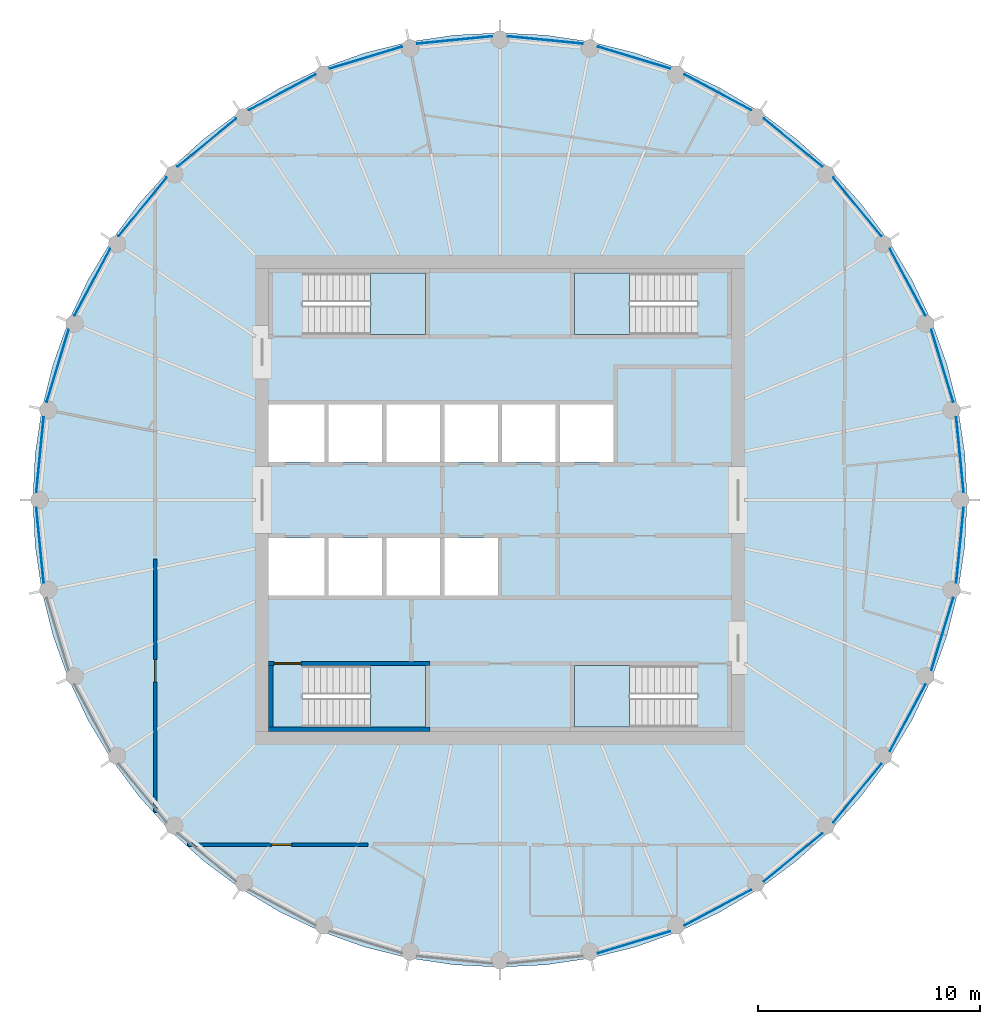
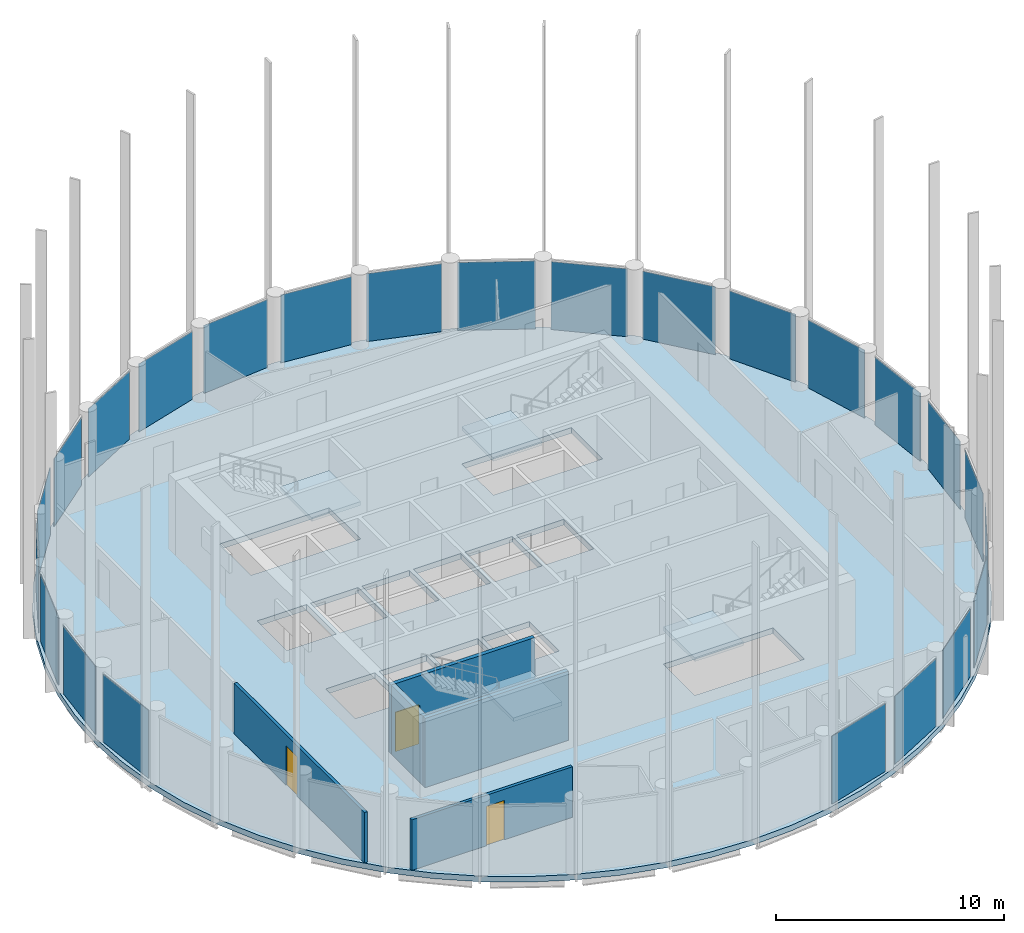
# One storey, part 3 of 7: 24 plates, 5 slabs, 5 walls, 3 doors, 3 openings, 28 elements without a shape of their own.
"""IFC4 building model written with IfcOpenShell, lengths in metres."""

from ifc_helpers import new_model, si_unit, direction, frame, frame_2d, origin, origin_2d, place, context, subcontext, project, spatial, polyline, rectangle, outline, extrude, material, layer, layer_set, type_object, element, fill, aggregate, save


model = new_model("IFC4")

# Units and contexts
model_context = context("Model", 3, precision=1e-05, world=origin(), true_north=direction((0.0, 1.0)))
body_context = subcontext(model_context, "Body", "Model", "MODEL_VIEW")
ifc_project = project(units=[si_unit("LENGTHUNIT", "METRE"), si_unit("AREAUNIT", "SQUARE_METRE"), si_unit("VOLUMEUNIT", "CUBIC_METRE"), si_unit("PLANEANGLEUNIT", "RADIAN"), si_unit("MASSUNIT", "GRAM", prefix="KILO")], contexts=[model_context])

# Site, building, storey
site_placement = place(None, origin())
site = spatial("IfcSite", under=ifc_project, at=site_placement, CompositionType="ELEMENT")
building_placement = place(site_placement, origin())
building = spatial("IfcBuilding", under=site, at=building_placement, Name="Corvane Civic Tower", CompositionType="ELEMENT")
storey_placement = place(building_placement, frame((0.0, 0.0, 340.5)))
storey = spatial("IfcBuildingStorey", under=building, at=storey_placement, Name="L81", CompositionType="ELEMENT", Elevation=340.5)

# Slab
ifc_material_1 = material(Name="Concrete C40/50", Category="concrete")
ifc_layer_1 = layer(ifc_material_1, 0.300048828125)
ifc_layer_set_1 = layer_set([ifc_layer_1], Name="Concrete C40/50")
slab_type_1 = type_object("IfcSlabType", Name="FLOOR SLAB 300", PredefinedType="FLOOR", material=ifc_layer_set_1)
slab_1_placement = place(storey_placement, frame((0.0, 0.0, -0.300048828125)))
element("IfcSlab", 1, at=slab_1_placement, inside=storey, type_object=slab_type_1, Name="SLB-L81", PredefinedType="FLOOR", context=body_context, shape_type="SweptSolid", body=[
    extrude(outline(polyline([(0.0, 21.0), (-2.058349609375, 20.89892578125), (-4.096923828125, 20.596435546875), (-6.095947265625, 20.095703125), (-8.036376953125, 19.4013671875), (-9.8994140625, 18.520263671875), (-11.6669921875, 17.4609375), (-13.322265625, 16.233154296875), (-14.84912109375, 14.84912109375), (-16.233154296875, 13.322265625), (-17.4609375, 11.6669921875), (-18.520263671875, 9.8994140625), (-19.4013671875, 8.036376953125), (-20.095703125, 6.095947265625), (-20.596435546875, 4.096923828125), (-20.89892578125, 2.058349609375), (-21.0, 0.0), (-20.89892578125, -2.058349609375), (-20.596435546875, -4.096923828125), (-20.095703125, -6.095947265625), (-19.4013671875, -8.036376953125), (-18.520263671875, -9.8994140625), (-17.4609375, -11.6669921875), (-16.233154296875, -13.322265625), (-14.84912109375, -14.84912109375), (-13.322265625, -16.233154296875), (-11.6669921875, -17.4609375), (-9.8994140625, -18.520263671875), (-8.036376953125, -19.4013671875), (-6.095947265625, -20.095703125), (-4.096923828125, -20.596435546875), (-2.058349609375, -20.89892578125), (0.0, -21.0), (2.058349609375, -20.89892578125), (4.096923828125, -20.596435546875), (6.095947265625, -20.095703125), (8.036376953125, -19.4013671875), (9.8994140625, -18.520263671875), (11.6669921875, -17.4609375), (13.322265625, -16.233154296875), (14.84912109375, -14.84912109375), (16.233154296875, -13.322265625), (17.4609375, -11.6669921875), (18.520263671875, -9.8994140625), (19.4013671875, -8.036376953125), (20.095703125, -6.095947265625), (20.596435546875, -4.096923828125), (20.89892578125, -2.058349609375), (21.0, 0.0), (20.89892578125, 2.058349609375), (20.596435546875, 4.096923828125), (20.095703125, 6.095947265625), (19.4013671875, 8.036376953125), (18.520263671875, 9.8994140625), (17.4609375, 11.6669921875), (16.233154296875, 13.322265625), (14.84912109375, 14.84912109375), (13.322265625, 16.233154296875), (11.6669921875, 17.4609375), (9.8994140625, 18.520263671875), (8.036376953125, 19.4013671875), (6.095947265625, 20.095703125), (4.096923828125, 20.596435546875), (2.058349609375, 20.89892578125), (0.0, 21.0)]), holes=[polyline([(-10.39990234375, 4.300048828125), (-7.89990234375, 4.300048828125), (-7.89990234375, 1.699951171875), (-10.39990234375, 1.699951171875), (-10.39990234375, 4.300048828125)]), polyline([(-5.300048828125, 1.699951171875), (-7.699951171875, 1.699951171875), (-7.699951171875, 4.300048828125), (-5.300048828125, 4.300048828125), (-5.300048828125, 1.699951171875)]), polyline([(-5.10009765625, 4.300048828125), (-2.699951171875, 4.300048828125), (-2.699951171875, 1.699951171875), (-5.10009765625, 1.699951171875), (-5.10009765625, 4.300048828125)]), polyline([(-0.10009765625, 1.699951171875), (-2.5, 1.699951171875), (-2.5, 4.300048828125), (-0.10009765625, 4.300048828125), (-0.10009765625, 1.699951171875)]), polyline([(2.5, 1.699951171875), (0.10009765625, 1.699951171875), (0.10009765625, 4.300048828125), (2.5, 4.300048828125), (2.5, 1.699951171875)]), polyline([(2.699951171875, 4.300048828125), (5.10009765625, 4.300048828125), (5.10009765625, 1.699951171875), (2.699951171875, 1.699951171875), (2.699951171875, 4.300048828125)]), polyline([(-10.39990234375, -1.699951171875), (-7.89990234375, -1.699951171875), (-7.89990234375, -4.300048828125), (-10.39990234375, -4.300048828125), (-10.39990234375, -1.699951171875)]), polyline([(-5.300048828125, -1.699951171875), (-5.300048828125, -4.300048828125), (-7.699951171875, -4.300048828125), (-7.699951171875, -1.699951171875), (-5.300048828125, -1.699951171875)]), polyline([(-2.699951171875, -1.699951171875), (-2.699951171875, -4.300048828125), (-5.10009765625, -4.300048828125), (-5.10009765625, -1.699951171875), (-2.699951171875, -1.699951171875)]), polyline([(-2.5, -4.300048828125), (-2.5, -1.699951171875), (-0.10009765625, -1.699951171875), (-0.10009765625, -4.300048828125), (-2.5, -4.300048828125)]), polyline([(8.889892578125, 10.199951171875), (8.889892578125, 7.449951171875), (3.35009765625, 7.449951171875), (3.35009765625, 10.199951171875), (8.889892578125, 10.199951171875)]), polyline([(-8.889892578125, 7.449951171875), (-8.889892578125, 10.199951171875), (-3.35009765625, 10.199951171875), (-3.35009765625, 7.449951171875), (-8.889892578125, 7.449951171875)]), polyline([(8.889892578125, -7.449951171875), (8.889892578125, -10.199951171875), (3.35009765625, -10.199951171875), (3.35009765625, -7.449951171875), (8.889892578125, -7.449951171875)]), polyline([(-8.889892578125, -10.199951171875), (-8.889892578125, -7.449951171875), (-3.35009765625, -7.449951171875), (-3.35009765625, -10.199951171875), (-8.889892578125, -10.199951171875)])]), origin(), (0.0, 0.0, 1.0), 0.300048828125),
])

# Stair, slab
ifc_material_2 = material(Name="Concrete C40/50", Category="concrete")
stair_type = type_object("IfcStairType", Name="ST-STAIR-HALFTURN", PredefinedType="HALF_TURN_STAIR", material=ifc_material_2)
stair_1_placement = place(storey_placement, origin())
stair_1 = element("IfcStair", 2, at=stair_1_placement, inside=storey, type_object=stair_type, Name="L81 Exit stair ST1", PredefinedType="HALF_TURN_STAIR")
ifc_material_3 = material(Name="Concrete C40/50", Category="concrete")
ifc_layer_2 = layer(ifc_material_3, 0.199951171875)
ifc_layer_set_2 = layer_set([ifc_layer_2], Name="Concrete C40/50")
slab_type_2 = type_object("IfcSlabType", Name="ST-LANDING-RC", PredefinedType="LANDING", material=ifc_layer_set_2)
slab_2_placement = place(storey_placement, frame((0.0, 0.0, 1.800048828125)))
slab_2 = element("IfcSlab", 3, at=slab_2_placement, type_object=slab_type_2, Name="ST1 landing 1", PredefinedType="LANDING", context=body_context, shape_type="SweptSolid", body=[
    extrude(outline(polyline([(5.820068359375, 10.199951171875), (3.35009765625, 10.199951171875), (3.35009765625, 7.449951171875), (5.820068359375, 7.449951171875), (5.820068359375, 10.199951171875)])), origin(), (0.0, 0.0, 1.0), 0.199951171875),
])
aggregate(stair_1, [slab_2])

stair_2_placement = place(storey_placement, origin())
stair_2 = element("IfcStair", 4, at=stair_2_placement, inside=storey, type_object=stair_type, Name="L81 Exit stair ST2", PredefinedType="HALF_TURN_STAIR")
slab_3_placement = place(storey_placement, frame((0.0, 0.0, 1.800048828125)))
slab_3 = element("IfcSlab", 5, at=slab_3_placement, type_object=slab_type_2, Name="ST2 landing 1", PredefinedType="LANDING", context=body_context, shape_type="SweptSolid", body=[
    extrude(outline(polyline([(5.820068359375, -7.449951171875), (3.35009765625, -7.449951171875), (3.35009765625, -10.199951171875), (5.820068359375, -10.199951171875), (5.820068359375, -7.449951171875)])), origin(), (0.0, 0.0, 1.0), 0.199951171875),
])
aggregate(stair_2, [slab_3])

stair_3_placement = place(storey_placement, origin())
stair_3 = element("IfcStair", 6, at=stair_3_placement, inside=storey, type_object=stair_type, Name="L81 Exit stair ST3", PredefinedType="HALF_TURN_STAIR")
slab_4_placement = place(storey_placement, frame((0.0, 0.0, 1.800048828125)))
slab_4 = element("IfcSlab", 7, at=slab_4_placement, type_object=slab_type_2, Name="ST3 landing 1", PredefinedType="LANDING", context=body_context, shape_type="SweptSolid", body=[
    extrude(outline(polyline([(-5.820068359375, -10.199951171875), (-3.35009765625, -10.199951171875), (-3.35009765625, -7.449951171875), (-5.820068359375, -7.449951171875), (-5.820068359375, -10.199951171875)])), origin(), (0.0, 0.0, 1.0), 0.199951171875),
])
aggregate(stair_3, [slab_4])

stair_4_placement = place(storey_placement, origin())
stair_4 = element("IfcStair", 8, at=stair_4_placement, inside=storey, type_object=stair_type, Name="L81 Exit stair ST4", PredefinedType="HALF_TURN_STAIR")
slab_5_placement = place(storey_placement, frame((0.0, 0.0, 1.800048828125)))
slab_5 = element("IfcSlab", 9, at=slab_5_placement, type_object=slab_type_2, Name="ST4 landing 1", PredefinedType="LANDING", context=body_context, shape_type="SweptSolid", body=[
    extrude(outline(polyline([(-5.820068359375, 7.449951171875), (-3.35009765625, 7.449951171875), (-3.35009765625, 10.199951171875), (-5.820068359375, 10.199951171875), (-5.820068359375, 7.449951171875)])), origin(), (0.0, 0.0, 1.0), 0.199951171875),
])
aggregate(stair_4, [slab_5])

# Curtain wall, plate
ifc_material_4 = material(Name="Anodised aluminium bronze", Category="aluminium")
curtain_wall_type = type_object("IfcCurtainWallType", Name="TOWER CW-T3 STICK CURTAIN WALL", PredefinedType="NOTDEFINED", material=ifc_material_4)
curtain_wall_1_placement = place(storey_placement, origin())
curtain_wall_1 = element("IfcCurtainWall", 10, at=curtain_wall_1_placement, inside=storey, type_object=curtain_wall_type, Name="Curtain wall CW-T3 L81 bay 01", PredefinedType="NOTDEFINED")
ifc_material_5 = material(Name="Tinted glass", Category="glass")
ifc_layer_3 = layer(ifc_material_5, 0.028076171875)
ifc_layer_set_3 = layer_set([ifc_layer_3], Name="Tinted glass")
plate_type = type_object("IfcPlateType", Name="TOWER CW-T3 PANEL IGU28", PredefinedType="CURTAIN_PANEL", material=ifc_layer_set_3)
plate_1_placement = place(storey_placement, frame((2.03662109375, 20.679443359375, 0.0), z_axis=(0.0, 0.0, 1.0), x_axis=(0.995186641028, -0.097997701601, 0.0)))
plate_1 = element("IfcPlate", 11, at=plate_1_placement, type_object=plate_type, Name="Glass panel CW-T3 L81 01.1", PredefinedType="CURTAIN_PANEL", context=body_context, shape_type="SweptSolid", body=[
    extrude(rectangle(XDim=3.402587890625, YDim=0.028076171875, at=origin_2d()), origin(), (0.0, 0.0, 1.0), 3.6298828125),
])
aggregate(curtain_wall_1, [plate_1])

curtain_wall_2_placement = place(storey_placement, origin())
curtain_wall_2 = element("IfcCurtainWall", 12, at=curtain_wall_2_placement, inside=storey, type_object=curtain_wall_type, Name="Curtain wall CW-T3 L81 bay 02", PredefinedType="NOTDEFINED")
plate_2_placement = place(storey_placement, frame((6.031982421875, 19.884765625, 0.0), z_axis=(0.0, 0.0, 1.0), x_axis=(0.956938582641, -0.290290456359, 0.0)))
plate_2 = element("IfcPlate", 13, at=plate_2_placement, type_object=plate_type, Name="Glass panel CW-T3 L81 02.1", PredefinedType="CURTAIN_PANEL", context=body_context, shape_type="SweptSolid", body=[
    extrude(rectangle(XDim=3.40283203125, YDim=0.028076171875, at=origin_2d()), origin(), (0.0, 0.0, 1.0), 3.6298828125),
])
aggregate(curtain_wall_2, [plate_2])

curtain_wall_3_placement = place(storey_placement, origin())
curtain_wall_3 = element("IfcCurtainWall", 14, at=curtain_wall_3_placement, inside=storey, type_object=curtain_wall_type, Name="Curtain wall CW-T3 L81 bay 03", PredefinedType="NOTDEFINED")
plate_3_placement = place(storey_placement, frame((9.79541015625, 18.325927734375, 0.0), z_axis=(0.0, 0.0, 1.0), x_axis=(0.88192824848, -0.471383670202, 0.0)))
plate_3 = element("IfcPlate", 15, at=plate_3_placement, type_object=plate_type, Name="Glass panel CW-T3 L81 03.1", PredefinedType="CURTAIN_PANEL", context=body_context, shape_type="SweptSolid", body=[
    extrude(rectangle(XDim=3.40234375, YDim=0.028076171875, at=origin_2d()), origin(), (0.0, 0.0, 1.0), 3.6298828125),
])
aggregate(curtain_wall_3, [plate_3])

curtain_wall_4_placement = place(storey_placement, origin())
curtain_wall_4 = element("IfcCurtainWall", 16, at=curtain_wall_4_placement, inside=storey, type_object=curtain_wall_type, Name="Curtain wall CW-T3 L81 bay 04", PredefinedType="NOTDEFINED")
plate_4_placement = place(storey_placement, frame((13.182373046875, 16.062744140625, 0.0), z_axis=(0.0, 0.0, 1.0), x_axis=(0.773010369391, -0.634393386484, 0.0)))
plate_4 = element("IfcPlate", 17, at=plate_4_placement, type_object=plate_type, Name="Glass panel CW-T3 L81 04.1", PredefinedType="CURTAIN_PANEL", context=body_context, shape_type="SweptSolid", body=[
    extrude(rectangle(XDim=3.402587890625, YDim=0.028076171875, at=origin_2d()), origin(), (0.0, 0.0, 1.0), 3.6298828125),
])
aggregate(curtain_wall_4, [plate_4])

curtain_wall_5_placement = place(storey_placement, origin())
curtain_wall_5 = element("IfcCurtainWall", 18, at=curtain_wall_5_placement, inside=storey, type_object=curtain_wall_type, Name="Curtain wall CW-T3 L81 bay 05", PredefinedType="NOTDEFINED")
plate_5_placement = place(storey_placement, frame((16.062744140625, 13.182373046875, 0.0), z_axis=(0.0, 0.0, 1.0), x_axis=(0.634393386484, -0.773010369391, 0.0)))
plate_5 = element("IfcPlate", 19, at=plate_5_placement, type_object=plate_type, Name="Glass panel CW-T3 L81 05.1", PredefinedType="CURTAIN_PANEL", context=body_context, shape_type="SweptSolid", body=[
    extrude(rectangle(XDim=3.402587890625, YDim=0.028076171875, at=origin_2d()), origin(), (0.0, 0.0, 1.0), 3.6298828125),
])
aggregate(curtain_wall_5, [plate_5])

curtain_wall_6_placement = place(storey_placement, origin())
curtain_wall_6 = element("IfcCurtainWall", 20, at=curtain_wall_6_placement, inside=storey, type_object=curtain_wall_type, Name="Curtain wall CW-T3 L81 bay 06", PredefinedType="NOTDEFINED")
plate_6_placement = place(storey_placement, frame((18.325927734375, 9.79541015625, 0.0), z_axis=(0.0, 0.0, 1.0), x_axis=(0.471383670202, -0.88192824848, 0.0)))
plate_6 = element("IfcPlate", 21, at=plate_6_placement, type_object=plate_type, Name="Glass panel CW-T3 L81 06.1", PredefinedType="CURTAIN_PANEL", context=body_context, shape_type="SweptSolid", body=[
    extrude(rectangle(XDim=3.40234375, YDim=0.028076171875, at=origin_2d()), origin(), (0.0, 0.0, 1.0), 3.6298828125),
])
aggregate(curtain_wall_6, [plate_6])

curtain_wall_7_placement = place(storey_placement, origin())
curtain_wall_7 = element("IfcCurtainWall", 22, at=curtain_wall_7_placement, inside=storey, type_object=curtain_wall_type, Name="Curtain wall CW-T3 L81 bay 07", PredefinedType="NOTDEFINED")
plate_7_placement = place(storey_placement, frame((19.884765625, 6.031982421875, 0.0), z_axis=(0.0, 0.0, 1.0), x_axis=(0.290290456359, -0.956938582641, 0.0)))
plate_7 = element("IfcPlate", 23, at=plate_7_placement, type_object=plate_type, Name="Glass panel CW-T3 L81 07.1", PredefinedType="CURTAIN_PANEL", context=body_context, shape_type="SweptSolid", body=[
    extrude(rectangle(XDim=3.40283203125, YDim=0.028076171875, at=origin_2d()), origin(), (0.0, 0.0, 1.0), 3.6298828125),
])
aggregate(curtain_wall_7, [plate_7])

curtain_wall_8_placement = place(storey_placement, origin())
curtain_wall_8 = element("IfcCurtainWall", 24, at=curtain_wall_8_placement, inside=storey, type_object=curtain_wall_type, Name="Curtain wall CW-T3 L81 bay 08", PredefinedType="NOTDEFINED")
plate_8_placement = place(storey_placement, frame((20.679443359375, 2.03662109375, 0.0), z_axis=(0.0, 0.0, 1.0), x_axis=(0.097997701601, -0.995186641028, 0.0)))
plate_8 = element("IfcPlate", 25, at=plate_8_placement, type_object=plate_type, Name="Glass panel CW-T3 L81 08.1", PredefinedType="CURTAIN_PANEL", context=body_context, shape_type="SweptSolid", body=[
    extrude(rectangle(XDim=3.402587890625, YDim=0.028076171875, at=origin_2d()), origin(), (0.0, 0.0, 1.0), 3.6298828125),
])
aggregate(curtain_wall_8, [plate_8])

curtain_wall_9_placement = place(storey_placement, origin())
curtain_wall_9 = element("IfcCurtainWall", 26, at=curtain_wall_9_placement, inside=storey, type_object=curtain_wall_type, Name="Curtain wall CW-T3 L81 bay 09", PredefinedType="NOTDEFINED")
plate_9_placement = place(storey_placement, frame((20.679443359375, -2.03662109375, 0.0), z_axis=(0.0, 0.0, 1.0), x_axis=(-0.097997701601, -0.995186641028, 0.0)))
plate_9 = element("IfcPlate", 27, at=plate_9_placement, type_object=plate_type, Name="Glass panel CW-T3 L81 09.1", PredefinedType="CURTAIN_PANEL", context=body_context, shape_type="SweptSolid", body=[
    extrude(rectangle(XDim=3.402587890625, YDim=0.028076171875, at=origin_2d()), origin(), (0.0, 0.0, 1.0), 3.6298828125),
])
aggregate(curtain_wall_9, [plate_9])

curtain_wall_10_placement = place(storey_placement, origin())
curtain_wall_10 = element("IfcCurtainWall", 28, at=curtain_wall_10_placement, inside=storey, type_object=curtain_wall_type, Name="Curtain wall CW-T3 L81 bay 10", PredefinedType="NOTDEFINED")
plate_10_placement = place(storey_placement, frame((19.884765625, -6.031982421875, 0.0), z_axis=(0.0, 0.0, 1.0), x_axis=(-0.290290456359, -0.956938582641, 0.0)))
plate_10 = element("IfcPlate", 29, at=plate_10_placement, type_object=plate_type, Name="Glass panel CW-T3 L81 10.1", PredefinedType="CURTAIN_PANEL", context=body_context, shape_type="SweptSolid", body=[
    extrude(rectangle(XDim=3.40283203125, YDim=0.028076171875, at=origin_2d()), origin(), (0.0, 0.0, 1.0), 3.6298828125),
])
aggregate(curtain_wall_10, [plate_10])

curtain_wall_11_placement = place(storey_placement, origin())
curtain_wall_11 = element("IfcCurtainWall", 30, at=curtain_wall_11_placement, inside=storey, type_object=curtain_wall_type, Name="Curtain wall CW-T3 L81 bay 11", PredefinedType="NOTDEFINED")
plate_11_placement = place(storey_placement, frame((18.325927734375, -9.79541015625, 0.0), z_axis=(0.0, 0.0, 1.0), x_axis=(-0.471383670202, -0.88192824848, 0.0)))
plate_11 = element("IfcPlate", 31, at=plate_11_placement, type_object=plate_type, Name="Glass panel CW-T3 L81 11.1", PredefinedType="CURTAIN_PANEL", context=body_context, shape_type="SweptSolid", body=[
    extrude(rectangle(XDim=3.40234375, YDim=0.028076171875, at=origin_2d()), origin(), (0.0, 0.0, 1.0), 3.6298828125),
])
aggregate(curtain_wall_11, [plate_11])

curtain_wall_12_placement = place(storey_placement, origin())
curtain_wall_12 = element("IfcCurtainWall", 32, at=curtain_wall_12_placement, inside=storey, type_object=curtain_wall_type, Name="Curtain wall CW-T3 L81 bay 12", PredefinedType="NOTDEFINED")
plate_12_placement = place(storey_placement, frame((16.062744140625, -13.182373046875, 0.0), z_axis=(0.0, 0.0, 1.0), x_axis=(-0.634393386484, -0.773010369391, 0.0)))
plate_12 = element("IfcPlate", 33, at=plate_12_placement, type_object=plate_type, Name="Glass panel CW-T3 L81 12.1", PredefinedType="CURTAIN_PANEL", context=body_context, shape_type="SweptSolid", body=[
    extrude(rectangle(XDim=3.402587890625, YDim=0.028076171875, at=origin_2d()), origin(), (0.0, 0.0, 1.0), 3.6298828125),
])
aggregate(curtain_wall_12, [plate_12])

curtain_wall_13_placement = place(storey_placement, origin())
curtain_wall_13 = element("IfcCurtainWall", 34, at=curtain_wall_13_placement, inside=storey, type_object=curtain_wall_type, Name="Curtain wall CW-T3 L81 bay 13", PredefinedType="NOTDEFINED")
plate_13_placement = place(storey_placement, frame((13.182373046875, -16.062744140625, 0.0), z_axis=(0.0, 0.0, 1.0), x_axis=(-0.773010369391, -0.634393386484, 0.0)))
plate_13 = element("IfcPlate", 35, at=plate_13_placement, type_object=plate_type, Name="Glass panel CW-T3 L81 13.1", PredefinedType="CURTAIN_PANEL", context=body_context, shape_type="SweptSolid", body=[
    extrude(rectangle(XDim=3.402587890625, YDim=0.028076171875, at=origin_2d()), origin(), (0.0, 0.0, 1.0), 3.6298828125),
])
aggregate(curtain_wall_13, [plate_13])

curtain_wall_14_placement = place(storey_placement, origin())
curtain_wall_14 = element("IfcCurtainWall", 36, at=curtain_wall_14_placement, inside=storey, type_object=curtain_wall_type, Name="Curtain wall CW-T3 L81 bay 14", PredefinedType="NOTDEFINED")
plate_14_placement = place(storey_placement, frame((9.79541015625, -18.325927734375, 0.0), z_axis=(0.0, 0.0, 1.0), x_axis=(-0.88192824848, -0.471383670202, 0.0)))
plate_14 = element("IfcPlate", 37, at=plate_14_placement, type_object=plate_type, Name="Glass panel CW-T3 L81 14.1", PredefinedType="CURTAIN_PANEL", context=body_context, shape_type="SweptSolid", body=[
    extrude(rectangle(XDim=3.40234375, YDim=0.028076171875, at=origin_2d()), origin(), (0.0, 0.0, 1.0), 3.6298828125),
])
aggregate(curtain_wall_14, [plate_14])

curtain_wall_15_placement = place(storey_placement, origin())
curtain_wall_15 = element("IfcCurtainWall", 38, at=curtain_wall_15_placement, inside=storey, type_object=curtain_wall_type, Name="Curtain wall CW-T3 L81 bay 15", PredefinedType="NOTDEFINED")
plate_15_placement = place(storey_placement, frame((6.031982421875, -19.884765625, 0.0), z_axis=(0.0, 0.0, 1.0), x_axis=(-0.956938582641, -0.290290456359, 0.0)))
plate_15 = element("IfcPlate", 39, at=plate_15_placement, type_object=plate_type, Name="Glass panel CW-T3 L81 15.1", PredefinedType="CURTAIN_PANEL", context=body_context, shape_type="SweptSolid", body=[
    extrude(rectangle(XDim=3.40283203125, YDim=0.028076171875, at=origin_2d()), origin(), (0.0, 0.0, 1.0), 3.6298828125),
])
aggregate(curtain_wall_15, [plate_15])

curtain_wall_16_placement = place(storey_placement, origin())
curtain_wall_16 = element("IfcCurtainWall", 40, at=curtain_wall_16_placement, inside=storey, type_object=curtain_wall_type, Name="Curtain wall CW-T3 L81 bay 24", PredefinedType="NOTDEFINED")
plate_16_placement = place(storey_placement, frame((-20.679443359375, -2.03662109375, 0.0), z_axis=(0.0, 0.0, 1.0), x_axis=(-0.097997701601, 0.995186641028, 0.0)))
plate_16 = element("IfcPlate", 41, at=plate_16_placement, type_object=plate_type, Name="Glass panel CW-T3 L81 24.1", PredefinedType="CURTAIN_PANEL", context=body_context, shape_type="SweptSolid", body=[
    extrude(rectangle(XDim=3.402587890625, YDim=0.028076171875, at=origin_2d()), origin(), (0.0, 0.0, 1.0), 3.6298828125),
])
aggregate(curtain_wall_16, [plate_16])

curtain_wall_17_placement = place(storey_placement, origin())
curtain_wall_17 = element("IfcCurtainWall", 42, at=curtain_wall_17_placement, inside=storey, type_object=curtain_wall_type, Name="Curtain wall CW-T3 L81 bay 25", PredefinedType="NOTDEFINED")
plate_17_placement = place(storey_placement, frame((-20.679443359375, 2.03662109375, 0.0), z_axis=(0.0, 0.0, 1.0), x_axis=(0.097997701601, 0.995186641028, 0.0)))
plate_17 = element("IfcPlate", 43, at=plate_17_placement, type_object=plate_type, Name="Glass panel CW-T3 L81 25.1", PredefinedType="CURTAIN_PANEL", context=body_context, shape_type="SweptSolid", body=[
    extrude(rectangle(XDim=3.402587890625, YDim=0.028076171875, at=origin_2d()), origin(), (0.0, 0.0, 1.0), 3.6298828125),
])
aggregate(curtain_wall_17, [plate_17])

curtain_wall_18_placement = place(storey_placement, origin())
curtain_wall_18 = element("IfcCurtainWall", 44, at=curtain_wall_18_placement, inside=storey, type_object=curtain_wall_type, Name="Curtain wall CW-T3 L81 bay 26", PredefinedType="NOTDEFINED")
plate_18_placement = place(storey_placement, frame((-19.884765625, 6.031982421875, 0.0), z_axis=(0.0, 0.0, 1.0), x_axis=(0.290290456359, 0.956938582641, 0.0)))
plate_18 = element("IfcPlate", 45, at=plate_18_placement, type_object=plate_type, Name="Glass panel CW-T3 L81 26.1", PredefinedType="CURTAIN_PANEL", context=body_context, shape_type="SweptSolid", body=[
    extrude(rectangle(XDim=3.40283203125, YDim=0.028076171875, at=origin_2d()), origin(), (0.0, 0.0, 1.0), 3.6298828125),
])
aggregate(curtain_wall_18, [plate_18])

curtain_wall_19_placement = place(storey_placement, origin())
curtain_wall_19 = element("IfcCurtainWall", 46, at=curtain_wall_19_placement, inside=storey, type_object=curtain_wall_type, Name="Curtain wall CW-T3 L81 bay 27", PredefinedType="NOTDEFINED")
plate_19_placement = place(storey_placement, frame((-18.325927734375, 9.79541015625, 0.0), z_axis=(0.0, 0.0, 1.0), x_axis=(0.471383670202, 0.88192824848, 0.0)))
plate_19 = element("IfcPlate", 47, at=plate_19_placement, type_object=plate_type, Name="Glass panel CW-T3 L81 27.1", PredefinedType="CURTAIN_PANEL", context=body_context, shape_type="SweptSolid", body=[
    extrude(rectangle(XDim=3.40234375, YDim=0.028076171875, at=origin_2d()), origin(), (0.0, 0.0, 1.0), 3.6298828125),
])
aggregate(curtain_wall_19, [plate_19])

curtain_wall_20_placement = place(storey_placement, origin())
curtain_wall_20 = element("IfcCurtainWall", 48, at=curtain_wall_20_placement, inside=storey, type_object=curtain_wall_type, Name="Curtain wall CW-T3 L81 bay 28", PredefinedType="NOTDEFINED")
plate_20_placement = place(storey_placement, frame((-16.062744140625, 13.182373046875, 0.0), z_axis=(0.0, 0.0, 1.0), x_axis=(0.634393386484, 0.773010369391, 0.0)))
plate_20 = element("IfcPlate", 49, at=plate_20_placement, type_object=plate_type, Name="Glass panel CW-T3 L81 28.1", PredefinedType="CURTAIN_PANEL", context=body_context, shape_type="SweptSolid", body=[
    extrude(rectangle(XDim=3.402587890625, YDim=0.028076171875, at=origin_2d()), origin(), (0.0, 0.0, 1.0), 3.6298828125),
])
aggregate(curtain_wall_20, [plate_20])

curtain_wall_21_placement = place(storey_placement, origin())
curtain_wall_21 = element("IfcCurtainWall", 50, at=curtain_wall_21_placement, inside=storey, type_object=curtain_wall_type, Name="Curtain wall CW-T3 L81 bay 29", PredefinedType="NOTDEFINED")
plate_21_placement = place(storey_placement, frame((-13.182373046875, 16.062744140625, 0.0), z_axis=(0.0, 0.0, 1.0), x_axis=(0.773010369391, 0.634393386484, 0.0)))
plate_21 = element("IfcPlate", 51, at=plate_21_placement, type_object=plate_type, Name="Glass panel CW-T3 L81 29.1", PredefinedType="CURTAIN_PANEL", context=body_context, shape_type="SweptSolid", body=[
    extrude(rectangle(XDim=3.402587890625, YDim=0.028076171875, at=origin_2d()), origin(), (0.0, 0.0, 1.0), 3.6298828125),
])
aggregate(curtain_wall_21, [plate_21])

curtain_wall_22_placement = place(storey_placement, origin())
curtain_wall_22 = element("IfcCurtainWall", 52, at=curtain_wall_22_placement, inside=storey, type_object=curtain_wall_type, Name="Curtain wall CW-T3 L81 bay 30", PredefinedType="NOTDEFINED")
plate_22_placement = place(storey_placement, frame((-9.79541015625, 18.325927734375, 0.0), z_axis=(0.0, 0.0, 1.0), x_axis=(0.88192824848, 0.471383670202, 0.0)))
plate_22 = element("IfcPlate", 53, at=plate_22_placement, type_object=plate_type, Name="Glass panel CW-T3 L81 30.1", PredefinedType="CURTAIN_PANEL", context=body_context, shape_type="SweptSolid", body=[
    extrude(rectangle(XDim=3.40234375, YDim=0.028076171875, at=origin_2d()), origin(), (0.0, 0.0, 1.0), 3.6298828125),
])
aggregate(curtain_wall_22, [plate_22])

curtain_wall_23_placement = place(storey_placement, origin())
curtain_wall_23 = element("IfcCurtainWall", 54, at=curtain_wall_23_placement, inside=storey, type_object=curtain_wall_type, Name="Curtain wall CW-T3 L81 bay 31", PredefinedType="NOTDEFINED")
plate_23_placement = place(storey_placement, frame((-6.031982421875, 19.884765625, 0.0), z_axis=(0.0, 0.0, 1.0), x_axis=(0.956938582641, 0.290290456359, 0.0)))
plate_23 = element("IfcPlate", 55, at=plate_23_placement, type_object=plate_type, Name="Glass panel CW-T3 L81 31.1", PredefinedType="CURTAIN_PANEL", context=body_context, shape_type="SweptSolid", body=[
    extrude(rectangle(XDim=3.40283203125, YDim=0.028076171875, at=origin_2d()), origin(), (0.0, 0.0, 1.0), 3.6298828125),
])
aggregate(curtain_wall_23, [plate_23])

curtain_wall_24_placement = place(storey_placement, origin())
curtain_wall_24 = element("IfcCurtainWall", 56, at=curtain_wall_24_placement, inside=storey, type_object=curtain_wall_type, Name="Curtain wall CW-T3 L81 bay 32", PredefinedType="NOTDEFINED")
plate_24_placement = place(storey_placement, frame((-2.03662109375, 20.679443359375, 0.0), z_axis=(0.0, 0.0, 1.0), x_axis=(0.995186641028, 0.097997701601, 0.0)))
plate_24 = element("IfcPlate", 57, at=plate_24_placement, type_object=plate_type, Name="Glass panel CW-T3 L81 32.1", PredefinedType="CURTAIN_PANEL", context=body_context, shape_type="SweptSolid", body=[
    extrude(rectangle(XDim=3.402587890625, YDim=0.028076171875, at=origin_2d()), origin(), (0.0, 0.0, 1.0), 3.6298828125),
])
aggregate(curtain_wall_24, [plate_24])

# Wall, opening, door
ifc_material_6 = material(Name="Concrete C50/60", Category="concrete")
ifc_layer_4 = layer(ifc_material_6, 0.199951171875)
ifc_layer_set_4 = layer_set([ifc_layer_4], Name="Concrete C50/60")
wall_type_1 = type_object("IfcWallType", Name="ST-WALL-200", PredefinedType="SHEAR", material=ifc_layer_set_4)
wall_1_placement = place(storey_placement, frame((-10.39990234375, -7.35009765625, 0.0), z_axis=(0.0, 0.0, 1.0), x_axis=(1.0, 0.0, 0.0)))
wall_1 = element("IfcWall", 58, at=wall_1_placement, inside=storey, type_object=wall_type_1, Name="L81 stair enclosure wall", PredefinedType="SHEAR", context=body_context, shape_type="SweptSolid", body=[
    extrude(rectangle(XDim=7.25, YDim=0.199951171875, at=frame_2d((3.625, 0.0))), origin(), (0.0, 0.0, 1.0), 3.699951171875),
])
opening_1_placement = place(wall_1_placement, frame((0.25, 0.0, 0.0)))
opening_1 = element("IfcOpeningElement", 59, at=opening_1_placement, cuts=wall_1, Name="Opening L81.C10", PredefinedType="OPENING", context=body_context, shape_type="SweptSolid", body=[
    extrude(rectangle(XDim=1.199951171875, YDim=2.10009765625, at=frame_2d((0.60009765625, 1.050048828125))), frame((0.0, 0.10986328125, 0.0), z_axis=(0.0, -1.0, 0.0), x_axis=(1.0, 0.0, 0.0)), (0.0, 0.0, 1.0), 0.219970703125),
])
ifc_material_7 = material(Name="Steel fire door leaf", Category="steel")
door_type_1 = type_object("IfcDoorType", Name="ST-DOOR-1200", OperationType="SINGLE_SWING_RIGHT", PredefinedType="DOOR", material=ifc_material_7)
door_1_placement = place(opening_1_placement, origin())
door_1 = element("IfcDoor", 60, at=door_1_placement, inside=storey, type_object=door_type_1, Name="L81 stair door", OperationType="SINGLE_SWING_RIGHT", OverallHeight=2.10009765625, OverallWidth=1.199951171875, PredefinedType="DOOR", context=body_context, shape_type="SweptSolid", body=[
    extrude(rectangle(XDim=1.199951171875, YDim=2.10009765625, at=frame_2d((0.60009765625, 1.050048828125))), frame((0.0, 0.02490234375, 0.0), z_axis=(0.0, -1.0, 0.0), x_axis=(1.0, 0.0, 0.0)), (0.0, 0.0, 1.0), 0.050048828125),
])
fill(opening_1, door_1)

# Walls
wall_2_placement = place(storey_placement, origin())
element("IfcWall", 61, at=wall_2_placement, inside=storey, type_object=wall_type_1, Name="L81 stair enclosure wall", PredefinedType="SHEAR", context=body_context, shape_type="SweptSolid", body=[
    extrude(outline(polyline([(-3.14990234375, -10.199951171875), (-3.14990234375, -10.39990234375), (-10.39990234375, -10.39990234375), (-10.39990234375, -10.199951171875), (-3.14990234375, -10.199951171875)])), origin(), (0.0, 0.0, 1.0), 3.699951171875),
])
wall_3_placement = place(storey_placement, origin())
element("IfcWall", 62, at=wall_3_placement, inside=storey, type_object=wall_type_1, Name="L81 stair enclosure wall", PredefinedType="SHEAR", context=body_context, shape_type="SweptSolid", body=[
    extrude(outline(polyline([(-10.199951171875, -7.449951171875), (-10.199951171875, -10.199951171875), (-10.39990234375, -10.199951171875), (-10.39990234375, -7.449951171875), (-10.199951171875, -7.449951171875)])), origin(), (0.0, 0.0, 1.0), 3.699951171875),
])

# Wall, opening, door
ifc_material_8 = material(Name="Plasterboard")
ifc_layer_5 = layer(ifc_material_8, 0.14990234375)
ifc_layer_set_5 = layer_set([ifc_layer_5], Name="Plasterboard")
wall_type_2 = type_object("IfcWallType", Name="Tenancy wall 150 EI 60", PredefinedType="PARTITIONING", material=ifc_layer_set_5)
wall_4_placement = place(storey_placement, frame((-14.05712890625, -15.5, 0.0), z_axis=(0.0, 0.0, 1.0), x_axis=(1.0, 0.0, 0.0)))
wall_4 = element("IfcWall", 63, at=wall_4_placement, inside=storey, type_object=wall_type_2, Name="Partition L81.008", PredefinedType="PARTITIONING", context=body_context, shape_type="SweptSolid", body=[
    extrude(rectangle(XDim=8.128662109375, YDim=0.14990234375, at=frame_2d((4.064453125, 0.0))), origin(), (0.0, 0.0, 1.0), 2.699951171875),
])
opening_2_placement = place(wall_4_placement, frame((3.783447265625, 0.0, 0.0)))
opening_2 = element("IfcOpeningElement", 64, at=opening_2_placement, cuts=wall_4, Name="Opening L81.001", PredefinedType="OPENING", context=body_context, shape_type="SweptSolid", body=[
    extrude(rectangle(XDim=0.89990234375, YDim=2.10009765625, at=frame_2d((0.449951171875, 1.050048828125))), frame((0.0, 0.0849609375, 0.0), z_axis=(0.0, -1.0, 0.0), x_axis=(1.0, 0.0, 0.0)), (0.0, 0.0, 1.0), 0.169921875),
])
ifc_material_9 = material(Name="Steel and timber", Category="steel")
door_type_2 = type_object("IfcDoorType", Name="Fire door FD30S 900", OperationType="NOTDEFINED", PredefinedType="DOOR", material=ifc_material_9)
door_2_placement = place(opening_2_placement, frame((0.89990234375, 0.0, 0.0), z_axis=(0.0, 0.0, 1.0), x_axis=(-1.0, 0.0, 0.0)))
door_2 = element("IfcDoor", 65, at=door_2_placement, inside=storey, type_object=door_type_2, Name="Door L81.001", OperationType="SINGLE_SWING_RIGHT", OverallHeight=2.10009765625, OverallWidth=0.89990234375, PredefinedType="DOOR", context=body_context, shape_type="SweptSolid", body=[
    extrude(rectangle(XDim=0.89990234375, YDim=2.10009765625, at=frame_2d((0.449951171875, 1.050048828125))), frame((0.0, 0.02490234375, 0.0), z_axis=(0.0, -1.0, 0.0), x_axis=(1.0, 0.0, 0.0)), (0.0, 0.0, 1.0), 0.050048828125),
])
fill(opening_2, door_2)

wall_5_placement = place(storey_placement, frame((-15.5, -14.05712890625, 0.0), z_axis=(0.0, 0.0, 1.0), x_axis=(0.0, 1.0, 0.0)))
wall_5 = element("IfcWall", 66, at=wall_5_placement, inside=storey, type_object=wall_type_2, Name="Partition L81.011", PredefinedType="PARTITIONING", context=body_context, shape_type="SweptSolid", body=[
    extrude(rectangle(XDim=11.402587890625, YDim=0.14990234375, at=frame_2d((5.701171875, 0.0))), origin(), (0.0, 0.0, 1.0), 2.699951171875),
])
opening_3_placement = place(wall_5_placement, frame((5.883544921875, 0.0, 0.0)))
opening_3 = element("IfcOpeningElement", 67, at=opening_3_placement, cuts=wall_5, Name="Opening L81.002", PredefinedType="OPENING", context=body_context, shape_type="SweptSolid", body=[
    extrude(rectangle(XDim=1.0, YDim=2.10009765625, at=frame_2d((0.5, 1.050048828125))), frame((0.0, 0.0849609375, 0.0), z_axis=(0.0, -1.0, 0.0), x_axis=(1.0, 0.0, 0.0)), (0.0, 0.0, 1.0), 0.169921875),
])
ifc_material_10 = material(Name="Steel and timber", Category="steel")
door_type_3 = type_object("IfcDoorType", Name="Fire door FD30S 1000", OperationType="NOTDEFINED", PredefinedType="DOOR", material=ifc_material_10)
door_3_placement = place(opening_3_placement, origin())
door_3 = element("IfcDoor", 68, at=door_3_placement, inside=storey, type_object=door_type_3, Name="Door L81.002", OperationType="SINGLE_SWING_LEFT", OverallHeight=2.10009765625, OverallWidth=1.0, PredefinedType="DOOR", context=body_context, shape_type="SweptSolid", body=[
    extrude(rectangle(XDim=1.0, YDim=2.10009765625, at=frame_2d((0.5, 1.050048828125))), frame((0.0, 0.02490234375, 0.0), z_axis=(0.0, -1.0, 0.0), x_axis=(1.0, 0.0, 0.0)), (0.0, 0.0, 1.0), 0.050048828125),
])
fill(opening_3, door_3)

save(model, "model.ifc")
